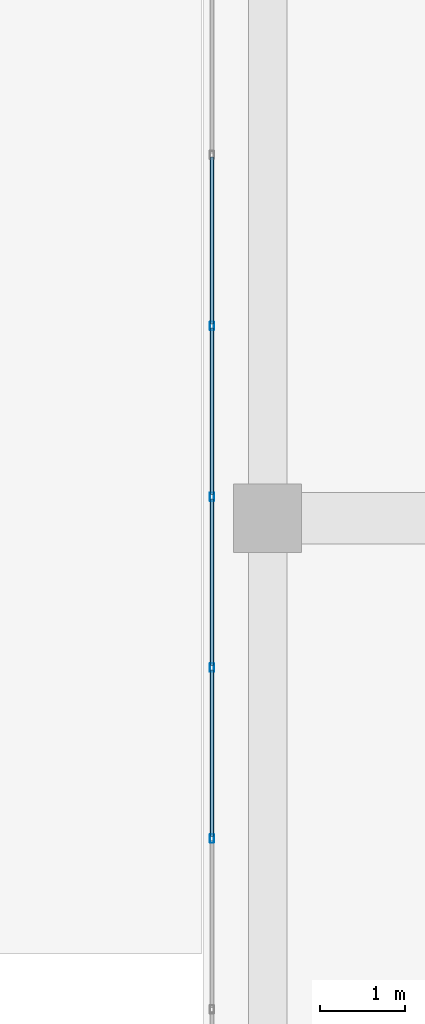
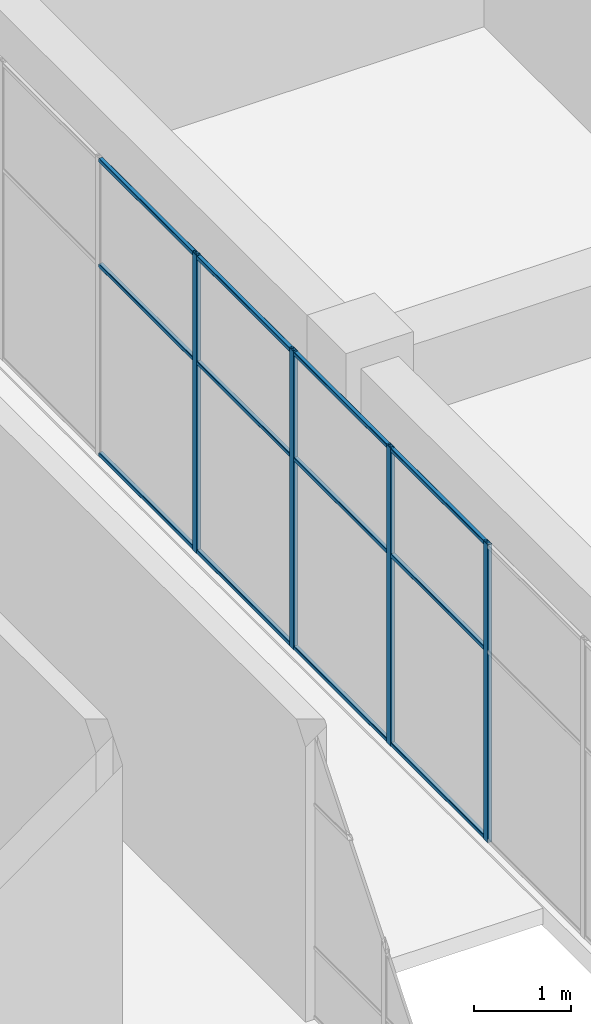
# One storey, part 21 of 66: 16 members, 1 element without a shape of its own.
"""IFC4 building model written with IfcOpenShell, lengths in metres."""

from ifc_helpers import new_model, si_unit, direction, frame, origin, origin_2d, place, context, subcontext, project, spatial, hollow_rectangle, extrude, material, layer, layer_set, material_profile, profile_set, type_object, element, aggregate, save


model = new_model("IFC4")

# Units and contexts
model_context = context("Model", 3, precision=1e-05, world=origin(), true_north=direction((0.0, 1.0)))
body_context = subcontext(model_context, "Body", "Model", "MODEL_VIEW")
ifc_project = project(units=[si_unit("LENGTHUNIT", "METRE"), si_unit("AREAUNIT", "SQUARE_METRE"), si_unit("VOLUMEUNIT", "CUBIC_METRE"), si_unit("PLANEANGLEUNIT", "RADIAN"), si_unit("MASSUNIT", "GRAM", prefix="KILO")], contexts=[model_context])

# Site, building, storey
site_placement = place(None, origin())
site = spatial("IfcSite", under=ifc_project, at=site_placement, CompositionType="ELEMENT")
building_placement = place(site_placement, origin())
building = spatial("IfcBuilding", under=site, at=building_placement, Name="Tuart Plaza Theatre", CompositionType="ELEMENT")
storey_placement = place(building_placement, frame((0.0, 0.0, 5.5)))
storey = spatial("IfcBuildingStorey", under=building, at=storey_placement, Name="L01", CompositionType="ELEMENT", Elevation=5.5)

# Curtain wall, members
ifc_material_1 = material(Name="Aluminium and glass", Category="aluminium")
ifc_layer = layer(ifc_material_1, 0.10009765625)
ifc_layer_set = layer_set([ifc_layer], Name="CURTAIN WALL 2000 module")
curtain_wall_type = type_object("IfcCurtainWallType", Name="CURTAIN WALL 2000 module", PredefinedType="NOTDEFINED", material=ifc_layer_set)
curtain_wall_placement = place(storey_placement, origin())
curtain_wall = element("IfcCurtainWall", 1, at=curtain_wall_placement, inside=storey, type_object=curtain_wall_type, Name="CW73", PredefinedType="NOTDEFINED")
ifc_material_2 = material(Name="Aluminium 6063-T5", Category="aluminium")
ifc_material_profile_1 = material_profile(ifc_material_2, hollow_rectangle(XDim=0.050048828125, YDim=0.10009765625, WallThickness=0.00390625, InnerFilletRadius=0.00390625, OuterFilletRadius=0.008056640625, at=origin_2d()), Name="RHS 100x50x4")
ifc_profile_set_1 = profile_set([ifc_material_profile_1], Name="Aluminium 6063-T5")
member_type_1 = type_object("IfcMemberType", Name="MULLION RHS 100x50x4", PredefinedType="MULLION", material=ifc_profile_set_1)
member_1_placement = place(storey_placement, frame((113.35009765625, 67.25, 0.0), z_axis=(0.0, 0.0, 1.0), x_axis=(1.0, 0.0, 0.0)))
member_1 = element("IfcMember", 2, at=member_1_placement, type_object=member_type_1, Name="CW73 mullion 16", PredefinedType="MULLION", context=body_context, shape_type="SweptSolid", body=[
    extrude(hollow_rectangle(XDim=0.050048828125, YDim=0.10009765625, WallThickness=0.00390625, InnerFilletRadius=0.00390625, OuterFilletRadius=0.008056640625, at=origin_2d()), origin(), (0.0, 0.0, 1.0), 3.75),
])
member_2_placement = place(storey_placement, frame((113.35009765625, 65.25, 0.0), z_axis=(0.0, 0.0, 1.0), x_axis=(1.0, 0.0, 0.0)))
member_2 = element("IfcMember", 3, at=member_2_placement, type_object=member_type_1, Name="CW73 mullion 17", PredefinedType="MULLION", context=body_context, shape_type="SweptSolid", body=[
    extrude(hollow_rectangle(XDim=0.050048828125, YDim=0.10009765625, WallThickness=0.00390625, InnerFilletRadius=0.00390625, OuterFilletRadius=0.008056640625, at=origin_2d()), origin(), (0.0, 0.0, 1.0), 3.75),
])
member_3_placement = place(storey_placement, frame((113.35009765625, 63.25, 0.0), z_axis=(0.0, 0.0, 1.0), x_axis=(1.0, 0.0, 0.0)))
member_3 = element("IfcMember", 4, at=member_3_placement, type_object=member_type_1, Name="CW73 mullion 18", PredefinedType="MULLION", context=body_context, shape_type="SweptSolid", body=[
    extrude(hollow_rectangle(XDim=0.050048828125, YDim=0.10009765625, WallThickness=0.00390625, InnerFilletRadius=0.00390625, OuterFilletRadius=0.008056640625, at=origin_2d()), origin(), (0.0, 0.0, 1.0), 3.75),
])
member_4_placement = place(storey_placement, frame((113.35009765625, 61.25, 0.0), z_axis=(0.0, 0.0, 1.0), x_axis=(1.0, 0.0, 0.0)))
member_4 = element("IfcMember", 5, at=member_4_placement, type_object=member_type_1, Name="CW73 mullion 19", PredefinedType="MULLION", context=body_context, shape_type="SweptSolid", body=[
    extrude(hollow_rectangle(XDim=0.050048828125, YDim=0.10009765625, WallThickness=0.00390625, InnerFilletRadius=0.00390625, OuterFilletRadius=0.008056640625, at=origin_2d()), origin(), (0.0, 0.0, 1.0), 3.75),
])
ifc_material_3 = material(Name="Aluminium 6063-T5", Category="aluminium")
ifc_material_profile_2 = material_profile(ifc_material_3, hollow_rectangle(XDim=0.050048828125, YDim=0.050048828125, WallThickness=0.00390625, InnerFilletRadius=0.00390625, OuterFilletRadius=0.008056640625, at=origin_2d()), Name="RHS 50x50x4")
ifc_profile_set_2 = profile_set([ifc_material_profile_2], Name="Aluminium 6063-T5")
member_type_2 = type_object("IfcMemberType", Name="TRANSOM RHS 50x50x4", PredefinedType="USERDEFINED", material=ifc_profile_set_2)
member_5_placement = place(storey_placement, frame((113.35009765625, 69.22509765625, 0.02490234375), z_axis=(0.0, -1.0, 0.0), x_axis=(1.0, 0.0, 0.0)))
member_5 = element("IfcMember", 6, at=member_5_placement, type_object=member_type_2, Name="CW73 transom 15.1", ObjectType="TRANSOM", PredefinedType="USERDEFINED", context=body_context, shape_type="SweptSolid", body=[
    extrude(hollow_rectangle(XDim=0.050048828125, YDim=0.050048828125, WallThickness=0.00390625, InnerFilletRadius=0.00390625, OuterFilletRadius=0.008056640625, at=origin_2d()), origin(), (0.0, 0.0, 1.0), 1.9501953125),
])
member_6_placement = place(storey_placement, frame((113.35009765625, 69.22509765625, 2.39990234375), z_axis=(0.0, -1.0, 0.0), x_axis=(1.0, 0.0, 0.0)))
member_6 = element("IfcMember", 7, at=member_6_placement, type_object=member_type_2, Name="CW73 transom 15.2", ObjectType="TRANSOM", PredefinedType="USERDEFINED", context=body_context, shape_type="SweptSolid", body=[
    extrude(hollow_rectangle(XDim=0.050048828125, YDim=0.050048828125, WallThickness=0.00390625, InnerFilletRadius=0.00390625, OuterFilletRadius=0.008056640625, at=origin_2d()), origin(), (0.0, 0.0, 1.0), 1.9501953125),
])
member_7_placement = place(storey_placement, frame((113.35009765625, 69.22509765625, 3.72509765625), z_axis=(0.0, -1.0, 0.0), x_axis=(1.0, 0.0, 0.0)))
member_7 = element("IfcMember", 8, at=member_7_placement, type_object=member_type_2, Name="CW73 transom 15.3", ObjectType="TRANSOM", PredefinedType="USERDEFINED", context=body_context, shape_type="SweptSolid", body=[
    extrude(hollow_rectangle(XDim=0.050048828125, YDim=0.050048828125, WallThickness=0.00390625, InnerFilletRadius=0.00390625, OuterFilletRadius=0.008056640625, at=origin_2d()), origin(), (0.0, 0.0, 1.0), 1.9501953125),
])
member_8_placement = place(storey_placement, frame((113.35009765625, 67.22509765625, 0.02490234375), z_axis=(0.0, -1.0, 0.0), x_axis=(1.0, 0.0, 0.0)))
member_8 = element("IfcMember", 9, at=member_8_placement, type_object=member_type_2, Name="CW73 transom 16.1", ObjectType="TRANSOM", PredefinedType="USERDEFINED", context=body_context, shape_type="SweptSolid", body=[
    extrude(hollow_rectangle(XDim=0.050048828125, YDim=0.050048828125, WallThickness=0.00390625, InnerFilletRadius=0.00390625, OuterFilletRadius=0.008056640625, at=origin_2d()), origin(), (0.0, 0.0, 1.0), 1.9501953125),
])
member_9_placement = place(storey_placement, frame((113.35009765625, 67.22509765625, 2.39990234375), z_axis=(0.0, -1.0, 0.0), x_axis=(1.0, 0.0, 0.0)))
member_9 = element("IfcMember", 10, at=member_9_placement, type_object=member_type_2, Name="CW73 transom 16.2", ObjectType="TRANSOM", PredefinedType="USERDEFINED", context=body_context, shape_type="SweptSolid", body=[
    extrude(hollow_rectangle(XDim=0.050048828125, YDim=0.050048828125, WallThickness=0.00390625, InnerFilletRadius=0.00390625, OuterFilletRadius=0.008056640625, at=origin_2d()), origin(), (0.0, 0.0, 1.0), 1.9501953125),
])
member_10_placement = place(storey_placement, frame((113.35009765625, 67.22509765625, 3.72509765625), z_axis=(0.0, -1.0, 0.0), x_axis=(1.0, 0.0, 0.0)))
member_10 = element("IfcMember", 11, at=member_10_placement, type_object=member_type_2, Name="CW73 transom 16.3", ObjectType="TRANSOM", PredefinedType="USERDEFINED", context=body_context, shape_type="SweptSolid", body=[
    extrude(hollow_rectangle(XDim=0.050048828125, YDim=0.050048828125, WallThickness=0.00390625, InnerFilletRadius=0.00390625, OuterFilletRadius=0.008056640625, at=origin_2d()), origin(), (0.0, 0.0, 1.0), 1.9501953125),
])
member_11_placement = place(storey_placement, frame((113.35009765625, 65.22509765625, 0.02490234375), z_axis=(0.0, -1.0, 0.0), x_axis=(1.0, 0.0, 0.0)))
member_11 = element("IfcMember", 12, at=member_11_placement, type_object=member_type_2, Name="CW73 transom 17.1", ObjectType="TRANSOM", PredefinedType="USERDEFINED", context=body_context, shape_type="SweptSolid", body=[
    extrude(hollow_rectangle(XDim=0.050048828125, YDim=0.050048828125, WallThickness=0.00390625, InnerFilletRadius=0.00390625, OuterFilletRadius=0.008056640625, at=origin_2d()), origin(), (0.0, 0.0, 1.0), 1.9501953125),
])
member_12_placement = place(storey_placement, frame((113.35009765625, 65.22509765625, 2.39990234375), z_axis=(0.0, -1.0, 0.0), x_axis=(1.0, 0.0, 0.0)))
member_12 = element("IfcMember", 13, at=member_12_placement, type_object=member_type_2, Name="CW73 transom 17.2", ObjectType="TRANSOM", PredefinedType="USERDEFINED", context=body_context, shape_type="SweptSolid", body=[
    extrude(hollow_rectangle(XDim=0.050048828125, YDim=0.050048828125, WallThickness=0.00390625, InnerFilletRadius=0.00390625, OuterFilletRadius=0.008056640625, at=origin_2d()), origin(), (0.0, 0.0, 1.0), 1.9501953125),
])
member_13_placement = place(storey_placement, frame((113.35009765625, 65.22509765625, 3.72509765625), z_axis=(0.0, -1.0, 0.0), x_axis=(1.0, 0.0, 0.0)))
member_13 = element("IfcMember", 14, at=member_13_placement, type_object=member_type_2, Name="CW73 transom 17.3", ObjectType="TRANSOM", PredefinedType="USERDEFINED", context=body_context, shape_type="SweptSolid", body=[
    extrude(hollow_rectangle(XDim=0.050048828125, YDim=0.050048828125, WallThickness=0.00390625, InnerFilletRadius=0.00390625, OuterFilletRadius=0.008056640625, at=origin_2d()), origin(), (0.0, 0.0, 1.0), 1.9501953125),
])
member_14_placement = place(storey_placement, frame((113.35009765625, 63.22509765625, 0.02490234375), z_axis=(0.0, -1.0, 0.0), x_axis=(1.0, 0.0, 0.0)))
member_14 = element("IfcMember", 15, at=member_14_placement, type_object=member_type_2, Name="CW73 transom 18.1", ObjectType="TRANSOM", PredefinedType="USERDEFINED", context=body_context, shape_type="SweptSolid", body=[
    extrude(hollow_rectangle(XDim=0.050048828125, YDim=0.050048828125, WallThickness=0.00390625, InnerFilletRadius=0.00390625, OuterFilletRadius=0.008056640625, at=origin_2d()), origin(), (0.0, 0.0, 1.0), 1.9501953125),
])
member_15_placement = place(storey_placement, frame((113.35009765625, 63.22509765625, 2.39990234375), z_axis=(0.0, -1.0, 0.0), x_axis=(1.0, 0.0, 0.0)))
member_15 = element("IfcMember", 16, at=member_15_placement, type_object=member_type_2, Name="CW73 transom 18.2", ObjectType="TRANSOM", PredefinedType="USERDEFINED", context=body_context, shape_type="SweptSolid", body=[
    extrude(hollow_rectangle(XDim=0.050048828125, YDim=0.050048828125, WallThickness=0.00390625, InnerFilletRadius=0.00390625, OuterFilletRadius=0.008056640625, at=origin_2d()), origin(), (0.0, 0.0, 1.0), 1.9501953125),
])
member_16_placement = place(storey_placement, frame((113.35009765625, 63.22509765625, 3.72509765625), z_axis=(0.0, -1.0, 0.0), x_axis=(1.0, 0.0, 0.0)))
member_16 = element("IfcMember", 17, at=member_16_placement, type_object=member_type_2, Name="CW73 transom 18.3", ObjectType="TRANSOM", PredefinedType="USERDEFINED", context=body_context, shape_type="SweptSolid", body=[
    extrude(hollow_rectangle(XDim=0.050048828125, YDim=0.050048828125, WallThickness=0.00390625, InnerFilletRadius=0.00390625, OuterFilletRadius=0.008056640625, at=origin_2d()), origin(), (0.0, 0.0, 1.0), 1.9501953125),
])
aggregate(curtain_wall, [member_1, member_2, member_3, member_4, member_5, member_6, member_7, member_8, member_9, member_10, member_11, member_12, member_13, member_14, member_15, member_16])

save(model, "model.ifc")
